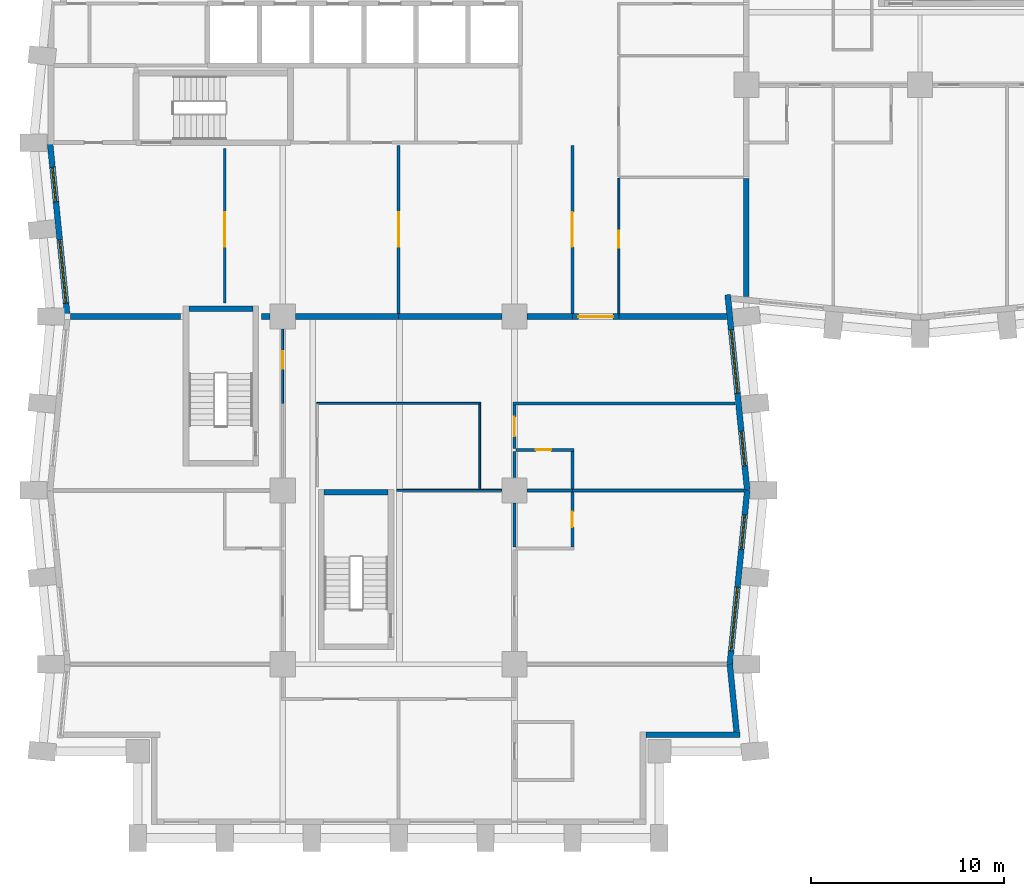
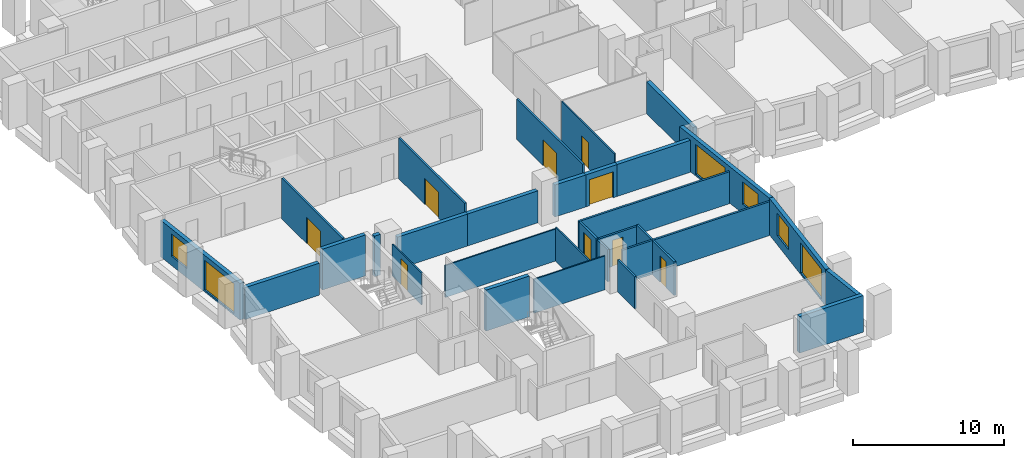
# One storey, part 4 of 12: 32 walls, 9 doors, 6 windows, 15 openings.
"""IFC4 building model written with IfcOpenShell, lengths in metres."""

from ifc_helpers import new_model, si_unit, direction, frame, frame_2d, origin, place, context, subcontext, project, spatial, rectangle, extrude, material, layer, layer_set, type_object, element, fill, save


model = new_model("IFC4")

# Units and contexts
model_context = context("Model", 3, precision=1e-05, world=origin(), true_north=direction((0.0, 1.0)))
body_context = subcontext(model_context, "Body", "Model", "MODEL_VIEW")
ifc_project = project(units=[si_unit("LENGTHUNIT", "METRE"), si_unit("AREAUNIT", "SQUARE_METRE"), si_unit("VOLUMEUNIT", "CUBIC_METRE"), si_unit("PLANEANGLEUNIT", "RADIAN"), si_unit("MASSUNIT", "GRAM", prefix="KILO")], contexts=[model_context])

# Site, building, storey
site_placement = place(None, origin())
site = spatial("IfcSite", under=ifc_project, at=site_placement, CompositionType="ELEMENT")
building_placement = place(site_placement, origin())
building = spatial("IfcBuilding", under=site, at=building_placement, Name="Brondeck Convention Tower", CompositionType="ELEMENT")
storey_placement = place(building_placement, frame((0.0, 0.0, 55.5)))
storey = spatial("IfcBuildingStorey", under=building, at=storey_placement, Name="L11", CompositionType="ELEMENT", Elevation=55.5)

# Walls
ifc_material_1 = material(Name="Concrete compartment wall C30/37", Category="concrete")
ifc_layer_1 = layer(ifc_material_1, 0.300048828125)
ifc_layer_set_1 = layer_set([ifc_layer_1], Name="Compartment wall 300")
wall_type_1 = type_object("IfcWallType", Name="Compartment wall 300", PredefinedType="PARTITIONING", material=ifc_layer_set_1)
wall_1_placement = place(storey_placement, frame((6.699951171875, 27.0, 0.0), z_axis=(0.0, 0.0, 1.0), x_axis=(-1.0, 0.0, 0.0)))
element("IfcWall", 1, at=wall_1_placement, inside=storey, type_object=wall_type_1, Name="FLR-L11-W035", PredefinedType="PARTITIONING", context=body_context, shape_type="SweptSolid", body=[
    extrude(rectangle(XDim=5.675048828125, YDim=0.300048828125, at=frame_2d((2.83740234375, 0.0))), origin(), (0.0, 0.0, 1.0), 2.580078125),
])
wall_2_placement = place(storey_placement, frame((11.344970703125, 27.0, 0.0), z_axis=(0.0, 0.0, 1.0), x_axis=(-1.0, 0.0, 0.0)))
element("IfcWall", 2, at=wall_2_placement, inside=storey, type_object=wall_type_1, Name="FLR-L11-W036", PredefinedType="PARTITIONING", context=body_context, shape_type="SweptSolid", body=[
    extrude(rectangle(XDim=0.445068359375, YDim=0.300048828125, at=frame_2d((0.22265625, 0.0))), origin(), (0.0, 0.0, 1.0), 3.280029296875),
])
for number, where, z_axis, x_axis, name in (
    (3, (18.0, 27.0, 0.0), (0.0, 0.0, 1.0), (-1.0, 0.0, 0.0), "FLR-L11-W037"),
    (4, (23.344970703125, 27.0, 0.0), (0.0, 0.0, 1.0), (-1.0, 0.0, 0.0), "FLR-L11-W038"),
):
    element("IfcWall", number, at=place(storey_placement, frame(where, z_axis=z_axis, x_axis=x_axis)), inside=storey, type_object=wall_type_1, Name=name, PredefinedType="PARTITIONING", context=body_context, shape_type="SweptSolid", body=[
        extrude(rectangle(XDim=5.344970703125, YDim=0.300048828125, at=frame_2d((2.67236328125, 0.0))), origin(), (0.0, 0.0, 1.0), 2.580078125),
    ])
wall_3_placement = place(storey_placement, frame((27.0, 27.0, 0.0), z_axis=(0.0, 0.0, 1.0), x_axis=(-1.0, 0.0, 0.0)))
element("IfcWall", 5, at=wall_3_placement, inside=storey, type_object=wall_type_1, Name="FLR-L11-W039", PredefinedType="PARTITIONING", context=body_context, shape_type="SweptSolid", body=[
    extrude(rectangle(XDim=2.344970703125, YDim=0.300048828125, at=frame_2d((1.17236328125, 0.0))), origin(), (0.0, 0.0, 1.0), 2.580078125),
])

# Wall, opening, door
wall_4_placement = place(storey_placement, frame((29.39990234375, 27.0, 0.0), z_axis=(0.0, 0.0, 1.0), x_axis=(-1.0, 0.0, 0.0)))
wall_4 = element("IfcWall", 6, at=wall_4_placement, inside=storey, type_object=wall_type_1, Name="FLR-L11-W040", PredefinedType="PARTITIONING", context=body_context, shape_type="SweptSolid", body=[
    extrude(rectangle(XDim=2.39990234375, YDim=0.300048828125, at=frame_2d((1.199951171875, 0.0))), origin(), (0.0, 0.0, 1.0), 2.580078125),
])
opening_1_placement = place(wall_4_placement, frame((0.300048828125, 0.0, 0.0)))
opening_1 = element("IfcOpeningElement", 7, at=opening_1_placement, cuts=wall_4, Name="Opening H2-043", PredefinedType="OPENING", context=body_context, shape_type="SweptSolid", body=[
    extrude(rectangle(XDim=1.800048828125, YDim=2.10009765625, at=frame_2d((0.89990234375, 1.050048828125))), frame((0.0, 0.159912109375, 0.0), z_axis=(0.0, -1.0, 0.0), x_axis=(1.0, 0.0, 0.0)), (0.0, 0.0, 1.0), 0.320068359375),
])
ifc_material_2 = material(Name="Steel fire door pair", Category="steel")
door_type_1 = type_object("IfcDoorType", Name="Fire door pair 1800", OperationType="DOUBLE_DOOR_SINGLE_SWING", PredefinedType="DOOR", material=ifc_material_2)
door_1_placement = place(opening_1_placement, origin())
door_1 = element("IfcDoor", 8, at=door_1_placement, inside=storey, type_object=door_type_1, Name="Door H2-043", OperationType="DOUBLE_DOOR_SINGLE_SWING", OverallHeight=2.10009765625, OverallWidth=1.800048828125, PredefinedType="DOOR", context=body_context, shape_type="SweptSolid", body=[
    extrude(rectangle(XDim=1.800048828125, YDim=2.10009765625, at=frame_2d((0.89990234375, 1.050048828125))), frame((0.0, 0.02490234375, 0.0), z_axis=(0.0, -1.0, 0.0), x_axis=(1.0, 0.0, 0.0)), (0.0, 0.0, 1.0), 0.050048828125),
])
fill(opening_1, door_1)

# Walls
wall_5_placement = place(storey_placement, frame((34.97509765625, 27.0, 0.0), z_axis=(0.0, 0.0, 1.0), x_axis=(-1.0, 0.0, 0.0)))
element("IfcWall", 9, at=wall_5_placement, inside=storey, type_object=wall_type_1, Name="FLR-L11-W041", PredefinedType="PARTITIONING", context=body_context, shape_type="SweptSolid", body=[
    extrude(rectangle(XDim=5.5751953125, YDim=0.300048828125, at=frame_2d((2.78759765625, 0.0))), origin(), (0.0, 0.0, 1.0), 2.580078125),
])
wall_6_placement = place(storey_placement, frame((36.0, 34.14990234375, 0.0), z_axis=(0.0, 0.0, 1.0), x_axis=(0.0, -1.0, 0.0)))
element("IfcWall", 10, at=wall_6_placement, inside=storey, type_object=wall_type_1, Name="FLR-L11-W044", PredefinedType="PARTITIONING", context=body_context, shape_type="SweptSolid", body=[
    extrude(rectangle(XDim=6.125, YDim=0.300048828125, at=frame_2d((3.0625, 0.0))), origin(), (0.0, 0.0, 1.0), 2.580078125),
])
ifc_material_3 = material(Name="Precast concrete C50/60 bronze finish", Category="concrete")
ifc_layer_2 = layer(ifc_material_3, 0.070068359375, Name="Bronze precast facing")
ifc_material_4 = material(Name="Mineral wool")
ifc_layer_3 = layer(ifc_material_4, 0.159912109375, Name="Insulation")
ifc_material_5 = material(Name="Concrete C35/45", Category="concrete")
ifc_layer_4 = layer(ifc_material_5, 0.070068359375, Name="Backing")
ifc_layer_set_2 = layer_set([ifc_layer_2, ifc_layer_3, ifc_layer_4], Name="External infill wall, precast concrete C50/60 bronze facing")
wall_type_2 = type_object("IfcWallType", Name="External infill wall, precast concrete C50/60 bronze facing", PredefinedType="SOLIDWALL", material=ifc_layer_set_2)
wall_7_placement = place(storey_placement, frame((35.676513671875, 5.35009765625, 0.0), z_axis=(0.0, 0.0, 1.0), x_axis=(-1.0, 0.0, 0.0)))
element("IfcWall", 11, at=wall_7_placement, inside=storey, type_object=wall_type_2, Name="ENV-EW-L11-P0-NC-SEB0-02", PredefinedType="SOLIDWALL", context=body_context, shape_type="SweptSolid", body=[
    extrude(rectangle(XDim=4.87646484375, YDim=0.300048828125, at=frame_2d((2.438232421875, 0.0))), origin(), (0.0, 0.0, 1.0), 2.949951171875),
])
wall_8_placement = place(storey_placement, frame((35.144287109375, 9.014892578125, 0.0), z_axis=(0.0, 0.0, 1.0), x_axis=(0.099462600847, -0.995041301169, 0.0)))
element("IfcWall", 12, at=wall_8_placement, inside=storey, type_object=wall_type_2, Name="ENV-EW-L11-P0-B-E-04", PredefinedType="SOLIDWALL", context=body_context, shape_type="SweptSolid", body=[
    extrude(rectangle(XDim=3.52734375, YDim=0.300048828125, at=frame_2d((1.763671875, 0.0))), origin(), (0.0, 0.0, 1.0), 2.949951171875),
])

# Wall, openings, windows
wall_9_placement = place(storey_placement, frame((36.04736328125, 18.014892578125, 0.0), z_axis=(0.0, 0.0, 1.0), x_axis=(-0.099522457379, -0.995035316196, 0.0)))
wall_9 = element("IfcWall", 13, at=wall_9_placement, inside=storey, type_object=wall_type_2, Name="ENV-EW-L11-P0-B-E-03", PredefinedType="SOLIDWALL", context=body_context, shape_type="SweptSolid", body=[
    extrude(rectangle(XDim=9.030029296875, YDim=0.300048828125, at=frame_2d((4.51513671875, 0.0))), origin(), (0.0, 0.0, 1.0), 2.949951171875),
])
opening_2_placement = place(wall_9_placement, frame((1.291259765625, 0.0, 0.75)))
opening_2 = element("IfcOpeningElement", 14, at=opening_2_placement, cuts=wall_9, Name="Opening W10", PredefinedType="OPENING", context=body_context, shape_type="SweptSolid", body=[
    extrude(rectangle(XDim=1.800048828125, YDim=1.800048828125, at=frame_2d((0.89990234375, 0.89990234375))), frame((0.0, 0.159912109375, 0.0), z_axis=(0.0, -1.0, 0.0), x_axis=(1.0, 0.0, 0.0)), (0.0, 0.0, 1.0), 0.320068359375),
])
opening_3_placement = place(wall_9_placement, frame((5.063720703125, 0.0, 0.14990234375)))
opening_3 = element("IfcOpeningElement", 15, at=opening_3_placement, cuts=wall_9, Name="Opening W9", PredefinedType="OPENING", context=body_context, shape_type="SweptSolid", body=[
    extrude(rectangle(XDim=3.300048828125, YDim=2.39990234375, at=frame_2d((1.64990234375, 1.199951171875))), frame((0.0, 0.159912109375, 0.0), z_axis=(0.0, -1.0, 0.0), x_axis=(1.0, 0.0, 0.0)), (0.0, 0.0, 1.0), 0.320068359375),
])
ifc_material_6 = material(Name="Bronze tinted double glazing", Category="glass")
window_type_1 = type_object("IfcWindowType", Name="Glazed flute window, bronze tinted", PartitioningType="SINGLE_PANEL", PredefinedType="WINDOW", material=ifc_material_6)
window_1_placement = place(opening_3_placement, origin())
window_1 = element("IfcWindow", 16, at=window_1_placement, inside=storey, type_object=window_type_1, Name="ENV-WN-L11-P0-B-E-03", OverallHeight=2.39990234375, OverallWidth=3.300048828125, PartitioningType="SINGLE_PANEL", PredefinedType="WINDOW", context=body_context, shape_type="SweptSolid", body=[
    extrude(rectangle(XDim=3.300048828125, YDim=2.39990234375, at=frame_2d((1.64990234375, 1.199951171875))), frame((0.0, 0.030029296875, 0.0), z_axis=(0.0, -1.0, 0.0), x_axis=(1.0, 0.0, 0.0)), (0.0, 0.0, 1.0), 0.06005859375),
])
fill(opening_3, window_1)
window_type_2 = type_object("IfcWindowType", Name="Punched window, bronze tinted", PartitioningType="SINGLE_PANEL", PredefinedType="WINDOW", material=ifc_material_6)
window_2_placement = place(opening_2_placement, origin())
window_2 = element("IfcWindow", 17, at=window_2_placement, inside=storey, type_object=window_type_2, Name="ENV-WN-L11-P0-B-E-02", OverallHeight=1.800048828125, OverallWidth=1.800048828125, PartitioningType="SINGLE_PANEL", PredefinedType="WINDOW", context=body_context, shape_type="SweptSolid", body=[
    extrude(rectangle(XDim=1.800048828125, YDim=1.800048828125, at=frame_2d((0.89990234375, 0.89990234375))), frame((0.0, 0.030029296875, 0.0), z_axis=(0.0, -1.0, 0.0), x_axis=(1.0, 0.0, 0.0)), (0.0, 0.0, 1.0), 0.06005859375),
])
fill(opening_2, window_2)

wall_10_placement = place(storey_placement, frame((35.03271484375, 28.131591796875, 0.0), z_axis=(0.0, 0.0, 1.0), x_axis=(0.099487051997, -0.995038856771, 0.0)))
wall_10 = element("IfcWall", 18, at=wall_10_placement, inside=storey, type_object=wall_type_2, Name="ENV-EW-L11-P0-B-E-01", PredefinedType="SOLIDWALL", context=body_context, shape_type="SweptSolid", body=[
    extrude(rectangle(XDim=10.152099609375, YDim=0.300048828125, at=frame_2d((5.076171875, 0.0))), origin(), (0.0, 0.0, 1.0), 2.949951171875),
])
opening_4_placement = place(wall_10_placement, frame((1.83349609375, 0.0, 0.14990234375)))
opening_4 = element("IfcOpeningElement", 19, at=opening_4_placement, cuts=wall_10, Name="Opening W9", PredefinedType="OPENING", context=body_context, shape_type="SweptSolid", body=[
    extrude(rectangle(XDim=3.300048828125, YDim=2.39990234375, at=frame_2d((1.64990234375, 1.199951171875))), frame((0.0, 0.159912109375, 0.0), z_axis=(0.0, -1.0, 0.0), x_axis=(1.0, 0.0, 0.0)), (0.0, 0.0, 1.0), 0.320068359375),
])
opening_5_placement = place(wall_10_placement, frame((7.10595703125, 0.0, 0.75)))
opening_5 = element("IfcOpeningElement", 20, at=opening_5_placement, cuts=wall_10, Name="Opening W10", PredefinedType="OPENING", context=body_context, shape_type="SweptSolid", body=[
    extrude(rectangle(XDim=1.800048828125, YDim=1.800048828125, at=frame_2d((0.89990234375, 0.89990234375))), frame((0.0, 0.159912109375, 0.0), z_axis=(0.0, -1.0, 0.0), x_axis=(1.0, 0.0, 0.0)), (0.0, 0.0, 1.0), 0.320068359375),
])
window_3_placement = place(opening_4_placement, origin())
window_3 = element("IfcWindow", 21, at=window_3_placement, inside=storey, type_object=window_type_1, Name="ENV-WN-L11-P0-B-E-00", OverallHeight=2.39990234375, OverallWidth=3.300048828125, PartitioningType="SINGLE_PANEL", PredefinedType="WINDOW", context=body_context, shape_type="SweptSolid", body=[
    extrude(rectangle(XDim=3.300048828125, YDim=2.39990234375, at=frame_2d((1.64990234375, 1.199951171875))), frame((0.0, 0.030029296875, 0.0), z_axis=(0.0, -1.0, 0.0), x_axis=(1.0, 0.0, 0.0)), (0.0, 0.0, 1.0), 0.06005859375),
])
fill(opening_4, window_3)
window_4_placement = place(opening_5_placement, origin())
window_4 = element("IfcWindow", 22, at=window_4_placement, inside=storey, type_object=window_type_2, Name="ENV-WN-L11-P0-B-E-01", OverallHeight=1.800048828125, OverallWidth=1.800048828125, PartitioningType="SINGLE_PANEL", PredefinedType="WINDOW", context=body_context, shape_type="SweptSolid", body=[
    extrude(rectangle(XDim=1.800048828125, YDim=1.800048828125, at=frame_2d((0.89990234375, 0.89990234375))), frame((0.0, 0.030029296875, 0.0), z_axis=(0.0, -1.0, 0.0), x_axis=(1.0, 0.0, 0.0)), (0.0, 0.0, 1.0), 0.06005859375),
])
fill(opening_5, window_4)

wall_11_placement = place(storey_placement, frame((0.855712890625, 26.985107421875, 0.0), z_axis=(0.0, 0.0, 1.0), x_axis=(-0.099503719021, 0.99503719021, 0.0)))
wall_11 = element("IfcWall", 23, at=wall_11_placement, inside=storey, type_object=wall_type_2, Name="ENV-EW-L11-P0-B-W-06", PredefinedType="SOLIDWALL", context=body_context, shape_type="SweptSolid", body=[
    extrude(rectangle(XDim=8.994873046875, YDim=0.300048828125, at=frame_2d((4.49755859375, 0.0))), origin(), (0.0, 0.0, 1.0), 2.949951171875),
])
opening_6_placement = place(wall_11_placement, frame((0.711181640625, 0.0, 0.14990234375)))
opening_6 = element("IfcOpeningElement", 24, at=opening_6_placement, cuts=wall_11, Name="Opening W9", PredefinedType="OPENING", context=body_context, shape_type="SweptSolid", body=[
    extrude(rectangle(XDim=3.300048828125, YDim=2.39990234375, at=frame_2d((1.64990234375, 1.199951171875))), frame((0.0, 0.159912109375, 0.0), z_axis=(0.0, -1.0, 0.0), x_axis=(1.0, 0.0, 0.0)), (0.0, 0.0, 1.0), 0.320068359375),
])
opening_7_placement = place(wall_11_placement, frame((5.983642578125, 0.0, 0.75)))
opening_7 = element("IfcOpeningElement", 25, at=opening_7_placement, cuts=wall_11, Name="Opening W10", PredefinedType="OPENING", context=body_context, shape_type="SweptSolid", body=[
    extrude(rectangle(XDim=1.800048828125, YDim=1.800048828125, at=frame_2d((0.89990234375, 0.89990234375))), frame((0.0, 0.159912109375, 0.0), z_axis=(0.0, -1.0, 0.0), x_axis=(1.0, 0.0, 0.0)), (0.0, 0.0, 1.0), 0.320068359375),
])
window_5_placement = place(opening_6_placement, origin())
window_5 = element("IfcWindow", 26, at=window_5_placement, inside=storey, type_object=window_type_1, Name="ENV-WN-L11-P0-B-W-07", OverallHeight=2.39990234375, OverallWidth=3.300048828125, PartitioningType="SINGLE_PANEL", PredefinedType="WINDOW", context=body_context, shape_type="SweptSolid", body=[
    extrude(rectangle(XDim=3.300048828125, YDim=2.39990234375, at=frame_2d((1.64990234375, 1.199951171875))), frame((0.0, 0.030029296875, 0.0), z_axis=(0.0, -1.0, 0.0), x_axis=(1.0, 0.0, 0.0)), (0.0, 0.0, 1.0), 0.06005859375),
])
fill(opening_6, window_5)
window_6_placement = place(opening_7_placement, origin())
window_6 = element("IfcWindow", 27, at=window_6_placement, inside=storey, type_object=window_type_2, Name="ENV-WN-L11-P0-B-W-06", OverallHeight=1.800048828125, OverallWidth=1.800048828125, PartitioningType="SINGLE_PANEL", PredefinedType="WINDOW", context=body_context, shape_type="SweptSolid", body=[
    extrude(rectangle(XDim=1.800048828125, YDim=1.800048828125, at=frame_2d((0.89990234375, 0.89990234375))), frame((0.0, 0.030029296875, 0.0), z_axis=(0.0, -1.0, 0.0), x_axis=(1.0, 0.0, 0.0)), (0.0, 0.0, 1.0), 0.06005859375),
])
fill(opening_7, window_6)

# Wall, opening, door
ifc_material_7 = material(Name="Double gypsum board acoustic wall")
ifc_layer_5 = layer(ifc_material_7, 0.14990234375)
ifc_layer_set_3 = layer_set([ifc_layer_5], Name="Guest room party wall 150")
wall_type_3 = type_object("IfcWallType", Name="Guest room party wall 150", PredefinedType="PARTITIONING", material=ifc_layer_set_3)
wall_12_placement = place(storey_placement, frame((27.0, 15.074951171875, 0.0), z_axis=(0.0, 0.0, 1.0), x_axis=(0.0, 1.0, 0.0)))
wall_12 = element("IfcWall", 28, at=wall_12_placement, inside=storey, type_object=wall_type_3, Name="FLR-L11-W017", PredefinedType="PARTITIONING", context=body_context, shape_type="SweptSolid", body=[
    extrude(rectangle(XDim=2.85009765625, YDim=0.14990234375, at=frame_2d((1.425048828125, 0.0))), origin(), (0.0, 0.0, 1.0), 2.72998046875),
])
opening_8_placement = place(wall_12_placement, frame((1.02490234375, 0.0, 0.0)))
opening_8 = element("IfcOpeningElement", 29, at=opening_8_placement, cuts=wall_12, Name="Opening H2-028", PredefinedType="OPENING", context=body_context, shape_type="SweptSolid", body=[
    extrude(rectangle(XDim=0.800048828125, YDim=2.10009765625, at=frame_2d((0.39990234375, 1.050048828125))), frame((0.0, 0.0849609375, 0.0), z_axis=(0.0, -1.0, 0.0), x_axis=(1.0, 0.0, 0.0)), (0.0, 0.0, 1.0), 0.169921875),
])
ifc_material_8 = material(Name="Solid timber door leaf", Category="wood")
door_type_2 = type_object("IfcDoorType", Name="En-suite door 800", OperationType="NOTDEFINED", PredefinedType="DOOR", material=ifc_material_8)
door_2_placement = place(opening_8_placement, origin())
door_2 = element("IfcDoor", 30, at=door_2_placement, inside=storey, type_object=door_type_2, Name="Door H2-028", OperationType="SINGLE_SWING_RIGHT", OverallHeight=2.10009765625, OverallWidth=0.800048828125, PredefinedType="DOOR", context=body_context, shape_type="SweptSolid", body=[
    extrude(rectangle(XDim=0.800048828125, YDim=2.10009765625, at=frame_2d((0.39990234375, 1.050048828125))), frame((0.0, 0.02490234375, 0.0), z_axis=(0.0, -1.0, 0.0), x_axis=(1.0, 0.0, 0.0)), (0.0, 0.0, 1.0), 0.050048828125),
])
fill(opening_8, door_2)

# Walls
wall_13_placement = place(storey_placement, frame((24.0, 17.344970703125, 0.0), z_axis=(0.0, 0.0, 1.0), x_axis=(0.0, -1.0, 0.0)))
element("IfcWall", 31, at=wall_13_placement, inside=storey, type_object=wall_type_3, Name="FLR-L11-W018", PredefinedType="PARTITIONING", context=body_context, shape_type="SweptSolid", body=[
    extrude(rectangle(XDim=2.27001953125, YDim=0.14990234375, at=frame_2d((1.135009765625, 0.0))), origin(), (0.0, 0.0, 1.0), 2.580078125),
])
wall_14_placement = place(storey_placement, frame((27.0, 18.0, 0.0), z_axis=(0.0, 0.0, 1.0), x_axis=(-1.0, 0.0, 0.0)))
element("IfcWall", 32, at=wall_14_placement, inside=storey, type_object=wall_type_3, Name="FLR-L11-W023", PredefinedType="PARTITIONING", context=body_context, shape_type="SweptSolid", body=[
    extrude(rectangle(XDim=2.344970703125, YDim=0.14990234375, at=frame_2d((1.17236328125, 0.0))), origin(), (0.0, 0.0, 1.0), 2.72998046875),
])
wall_15_placement = place(storey_placement, frame((35.875, 18.0, 0.0), z_axis=(0.0, 0.0, 1.0), x_axis=(-1.0, 0.0, 0.0)))
element("IfcWall", 33, at=wall_15_placement, inside=storey, type_object=wall_type_3, Name="FLR-L11-W024", PredefinedType="PARTITIONING", context=body_context, shape_type="SweptSolid", body=[
    extrude(rectangle(XDim=8.875, YDim=0.14990234375, at=frame_2d((4.4375, 0.0))), origin(), (0.0, 0.0, 1.0), 2.72998046875),
])
wall_16_placement = place(storey_placement, frame((27.0, 18.074951171875, 0.0), z_axis=(0.0, 0.0, 1.0), x_axis=(0.0, 1.0, 0.0)))
element("IfcWall", 34, at=wall_16_placement, inside=storey, type_object=wall_type_3, Name="FLR-L11-W026", PredefinedType="PARTITIONING", context=body_context, shape_type="SweptSolid", body=[
    extrude(rectangle(XDim=1.949951171875, YDim=0.14990234375, at=frame_2d((0.97509765625, 0.0))), origin(), (0.0, 0.0, 1.0), 2.72998046875),
])
wall_17_placement = place(storey_placement, frame((24.0, 20.02490234375, 0.0), z_axis=(0.0, 0.0, 1.0), x_axis=(0.0, -1.0, 0.0)))
element("IfcWall", 35, at=wall_17_placement, inside=storey, type_object=wall_type_3, Name="FLR-L11-W027", PredefinedType="PARTITIONING", context=body_context, shape_type="SweptSolid", body=[
    extrude(rectangle(XDim=1.369873046875, YDim=0.14990234375, at=frame_2d((0.68505859375, 0.0))), origin(), (0.0, 0.0, 1.0), 2.580078125),
])

# Wall, opening, door
wall_18_placement = place(storey_placement, frame((27.074951171875, 20.10009765625, 0.0), z_axis=(0.0, 0.0, 1.0), x_axis=(-1.0, 0.0, 0.0)))
wall_18 = element("IfcWall", 36, at=wall_18_placement, inside=storey, type_object=wall_type_3, Name="FLR-L11-W028", PredefinedType="PARTITIONING", context=body_context, shape_type="SweptSolid", body=[
    extrude(rectangle(XDim=3.0, YDim=0.14990234375, at=frame_2d((1.5, 0.0))), origin(), (0.0, 0.0, 1.0), 2.580078125),
])
opening_9_placement = place(wall_18_placement, frame((1.175048828125, 0.0, 0.0)))
opening_9 = element("IfcOpeningElement", 37, at=opening_9_placement, cuts=wall_18, Name="Opening H2-026", PredefinedType="OPENING", context=body_context, shape_type="SweptSolid", body=[
    extrude(rectangle(XDim=0.800048828125, YDim=2.10009765625, at=frame_2d((0.39990234375, 1.050048828125))), frame((0.0, 0.0849609375, 0.0), z_axis=(0.0, -1.0, 0.0), x_axis=(1.0, 0.0, 0.0)), (0.0, 0.0, 1.0), 0.169921875),
])
door_3_placement = place(opening_9_placement, origin())
door_3 = element("IfcDoor", 38, at=door_3_placement, inside=storey, type_object=door_type_2, Name="Door H2-026", OperationType="SINGLE_SWING_LEFT", OverallHeight=2.10009765625, OverallWidth=0.800048828125, PredefinedType="DOOR", context=body_context, shape_type="SweptSolid", body=[
    extrude(rectangle(XDim=0.800048828125, YDim=2.10009765625, at=frame_2d((0.39990234375, 1.050048828125))), frame((0.0, 0.02490234375, 0.0), z_axis=(0.0, -1.0, 0.0), x_axis=(1.0, 0.0, 0.0)), (0.0, 0.0, 1.0), 0.050048828125),
])
fill(opening_9, door_3)

wall_19_placement = place(storey_placement, frame((24.0, 22.425048828125, 0.0), z_axis=(0.0, 0.0, 1.0), x_axis=(0.0, -1.0, 0.0)))
wall_19 = element("IfcWall", 39, at=wall_19_placement, inside=storey, type_object=wall_type_3, Name="FLR-L11-W029", PredefinedType="PARTITIONING", context=body_context, shape_type="SweptSolid", body=[
    extrude(rectangle(XDim=2.25, YDim=0.14990234375, at=frame_2d((1.125, 0.0))), origin(), (0.0, 0.0, 1.0), 2.580078125),
])
opening_10_placement = place(wall_19_placement, frame((0.625, 0.0, 0.0)))
opening_10 = element("IfcOpeningElement", 40, at=opening_10_placement, cuts=wall_19, Name="Opening H2-025", PredefinedType="OPENING", context=body_context, shape_type="SweptSolid", body=[
    extrude(rectangle(XDim=1.0, YDim=2.10009765625, at=frame_2d((0.5, 1.050048828125))), frame((0.0, 0.0849609375, 0.0), z_axis=(0.0, -1.0, 0.0), x_axis=(1.0, 0.0, 0.0)), (0.0, 0.0, 1.0), 0.169921875),
])
ifc_material_9 = material(Name="Solid timber fire door leaf", Category="wood")
door_type_3 = type_object("IfcDoorType", Name="Guest room door 1000", OperationType="NOTDEFINED", PredefinedType="DOOR", material=ifc_material_9)
door_4_placement = place(opening_10_placement, origin())
door_4 = element("IfcDoor", 41, at=door_4_placement, inside=storey, type_object=door_type_3, Name="Door H2-025", OperationType="SINGLE_SWING_LEFT", OverallHeight=2.10009765625, OverallWidth=1.0, PredefinedType="DOOR", context=body_context, shape_type="SweptSolid", body=[
    extrude(rectangle(XDim=1.0, YDim=2.10009765625, at=frame_2d((0.5, 1.050048828125))), frame((0.0, 0.02490234375, 0.0), z_axis=(0.0, -1.0, 0.0), x_axis=(1.0, 0.0, 0.0)), (0.0, 0.0, 1.0), 0.050048828125),
])
fill(opening_10, door_4)

# Wall
wall_20_placement = place(storey_placement, frame((35.425048828125, 22.5, 0.0), z_axis=(0.0, 0.0, 1.0), x_axis=(-1.0, 0.0, 0.0)))
element("IfcWall", 42, at=wall_20_placement, inside=storey, type_object=wall_type_3, Name="FLR-L11-W034", PredefinedType="PARTITIONING", context=body_context, shape_type="SweptSolid", body=[
    extrude(rectangle(XDim=11.5, YDim=0.14990234375, at=frame_2d((5.75, 0.0))), origin(), (0.0, 0.0, 1.0), 2.580078125),
])

# Wall, opening, door
wall_21_placement = place(storey_placement, frame((27.0, 27.14990234375, 0.0), z_axis=(0.0, 0.0, 1.0), x_axis=(0.0, 1.0, 0.0)))
wall_21 = element("IfcWall", 43, at=wall_21_placement, inside=storey, type_object=wall_type_3, Name="FLR-L11-W042", PredefinedType="PARTITIONING", context=body_context, shape_type="SweptSolid", body=[
    extrude(rectangle(XDim=8.7001953125, YDim=0.14990234375, at=frame_2d((4.35009765625, 0.0))), origin(), (0.0, 0.0, 1.0), 3.280029296875),
])
opening_11_placement = place(wall_21_placement, frame((3.449951171875, 0.0, 0.0)))
opening_11 = element("IfcOpeningElement", 44, at=opening_11_placement, cuts=wall_21, Name="Opening H2-039", PredefinedType="OPENING", context=body_context, shape_type="SweptSolid", body=[
    extrude(rectangle(XDim=1.800048828125, YDim=2.10009765625, at=frame_2d((0.89990234375, 1.050048828125))), frame((0.0, 0.0849609375, 0.0), z_axis=(0.0, -1.0, 0.0), x_axis=(1.0, 0.0, 0.0)), (0.0, 0.0, 1.0), 0.169921875),
])
ifc_material_10 = material(Name="Glazed timber double door", Category="wood")
door_type_4 = type_object("IfcDoorType", Name="Double door 1800", OperationType="DOUBLE_DOOR_SINGLE_SWING", PredefinedType="DOOR", material=ifc_material_10)
door_5_placement = place(opening_11_placement, origin())
door_5 = element("IfcDoor", 45, at=door_5_placement, inside=storey, type_object=door_type_4, Name="Door H2-039", OperationType="DOUBLE_DOOR_SINGLE_SWING", OverallHeight=2.10009765625, OverallWidth=1.800048828125, PredefinedType="DOOR", context=body_context, shape_type="SweptSolid", body=[
    extrude(rectangle(XDim=1.800048828125, YDim=2.10009765625, at=frame_2d((0.89990234375, 1.050048828125))), frame((0.0, 0.02490234375, 0.0), z_axis=(0.0, -1.0, 0.0), x_axis=(1.0, 0.0, 0.0)), (0.0, 0.0, 1.0), 0.050048828125),
])
fill(opening_11, door_5)

wall_22_placement = place(storey_placement, frame((9.0, 27.699951171875, 0.0), z_axis=(0.0, 0.0, 1.0), x_axis=(0.0, 1.0, 0.0)))
wall_22 = element("IfcWall", 46, at=wall_22_placement, inside=storey, type_object=wall_type_3, Name="FLR-L11-W046", PredefinedType="PARTITIONING", context=body_context, shape_type="SweptSolid", body=[
    extrude(rectangle(XDim=8.0, YDim=0.14990234375, at=frame_2d((4.0, 0.0))), origin(), (0.0, 0.0, 1.0), 3.280029296875),
])
opening_12_placement = place(wall_22_placement, frame((2.89990234375, 0.0, 0.0)))
opening_12 = element("IfcOpeningElement", 47, at=opening_12_placement, cuts=wall_22, Name="Opening H2-040", PredefinedType="OPENING", context=body_context, shape_type="SweptSolid", body=[
    extrude(rectangle(XDim=1.800048828125, YDim=2.10009765625, at=frame_2d((0.89990234375, 1.050048828125))), frame((0.0, 0.0849609375, 0.0), z_axis=(0.0, -1.0, 0.0), x_axis=(1.0, 0.0, 0.0)), (0.0, 0.0, 1.0), 0.169921875),
])
door_6_placement = place(opening_12_placement, origin())
door_6 = element("IfcDoor", 48, at=door_6_placement, inside=storey, type_object=door_type_4, Name="Door H2-040", OperationType="DOUBLE_DOOR_SINGLE_SWING", OverallHeight=2.10009765625, OverallWidth=1.800048828125, PredefinedType="DOOR", context=body_context, shape_type="SweptSolid", body=[
    extrude(rectangle(XDim=1.800048828125, YDim=2.10009765625, at=frame_2d((0.89990234375, 1.050048828125))), frame((0.0, 0.02490234375, 0.0), z_axis=(0.0, -1.0, 0.0), x_axis=(1.0, 0.0, 0.0)), (0.0, 0.0, 1.0), 0.050048828125),
])
fill(opening_12, door_6)

wall_23_placement = place(storey_placement, frame((18.0, 27.14990234375, 0.0), z_axis=(0.0, 0.0, 1.0), x_axis=(0.0, 1.0, 0.0)))
wall_23 = element("IfcWall", 49, at=wall_23_placement, inside=storey, type_object=wall_type_3, Name="FLR-L11-W047", PredefinedType="PARTITIONING", context=body_context, shape_type="SweptSolid", body=[
    extrude(rectangle(XDim=8.7001953125, YDim=0.14990234375, at=frame_2d((4.35009765625, 0.0))), origin(), (0.0, 0.0, 1.0), 3.280029296875),
])
opening_13_placement = place(wall_23_placement, frame((3.449951171875, 0.0, 0.0)))
opening_13 = element("IfcOpeningElement", 50, at=opening_13_placement, cuts=wall_23, Name="Opening H2-041", PredefinedType="OPENING", context=body_context, shape_type="SweptSolid", body=[
    extrude(rectangle(XDim=1.800048828125, YDim=2.10009765625, at=frame_2d((0.89990234375, 1.050048828125))), frame((0.0, 0.0849609375, 0.0), z_axis=(0.0, -1.0, 0.0), x_axis=(1.0, 0.0, 0.0)), (0.0, 0.0, 1.0), 0.169921875),
])
door_7_placement = place(opening_13_placement, origin())
door_7 = element("IfcDoor", 51, at=door_7_placement, inside=storey, type_object=door_type_4, Name="Door H2-041", OperationType="DOUBLE_DOOR_SINGLE_SWING", OverallHeight=2.10009765625, OverallWidth=1.800048828125, PredefinedType="DOOR", context=body_context, shape_type="SweptSolid", body=[
    extrude(rectangle(XDim=1.800048828125, YDim=2.10009765625, at=frame_2d((0.89990234375, 1.050048828125))), frame((0.0, 0.02490234375, 0.0), z_axis=(0.0, -1.0, 0.0), x_axis=(1.0, 0.0, 0.0)), (0.0, 0.0, 1.0), 0.050048828125),
])
fill(opening_13, door_7)

# Walls
ifc_material_11 = material(Name="Gypsum board partition on steel studs", Category="steel")
ifc_layer_6 = layer(ifc_material_11, 0.10009765625)
ifc_layer_set_4 = layer_set([ifc_layer_6], Name="Room partition 100")
wall_type_4 = type_object("IfcWallType", Name="Room partition 100", PredefinedType="PARTITIONING", material=ifc_layer_set_4)
wall_24_placement = place(storey_placement, frame((23.330078125, 18.0, 0.0), z_axis=(0.0, 0.0, 1.0), x_axis=(-1.0, 0.0, 0.0)))
element("IfcWall", 52, at=wall_24_placement, inside=storey, type_object=wall_type_4, Name="FLR-L11-W022", PredefinedType="PARTITIONING", context=body_context, shape_type="SweptSolid", body=[
    extrude(rectangle(XDim=5.43017578125, YDim=0.10009765625, at=frame_2d((2.715087890625, 0.0))), origin(), (0.0, 0.0, 1.0), 2.72998046875),
])
wall_25_placement = place(storey_placement, frame((22.199951171875, 18.050048828125, 0.0), z_axis=(0.0, 0.0, 1.0), x_axis=(0.0, 1.0, 0.0)))
element("IfcWall", 53, at=wall_25_placement, inside=storey, type_object=wall_type_4, Name="FLR-L11-W025", PredefinedType="PARTITIONING", context=body_context, shape_type="SweptSolid", body=[
    extrude(rectangle(XDim=4.39990234375, YDim=0.10009765625, at=frame_2d((2.199951171875, 0.0))), origin(), (0.0, 0.0, 1.0), 2.72998046875),
])

# Wall, opening, door
wall_26_placement = place(storey_placement, frame((12.0, 26.344970703125, 0.0), z_axis=(0.0, 0.0, 1.0), x_axis=(0.0, -1.0, 0.0)))
wall_26 = element("IfcWall", 54, at=wall_26_placement, inside=storey, type_object=wall_type_4, Name="FLR-L11-W032", PredefinedType="PARTITIONING", context=body_context, shape_type="SweptSolid", body=[
    extrude(rectangle(XDim=3.844970703125, YDim=0.10009765625, at=frame_2d((1.92236328125, 0.0))), origin(), (0.0, 0.0, 1.0), 2.580078125),
])
opening_14_placement = place(wall_26_placement, frame((1.14501953125, 0.0, 0.0)))
opening_14 = element("IfcOpeningElement", 55, at=opening_14_placement, cuts=wall_26, Name="Opening H2-022", PredefinedType="OPENING", context=body_context, shape_type="SweptSolid", body=[
    extrude(rectangle(XDim=0.89990234375, YDim=2.10009765625, at=frame_2d((0.449951171875, 1.050048828125))), frame((0.0, 0.06005859375, 0.0), z_axis=(0.0, -1.0, 0.0), x_axis=(1.0, 0.0, 0.0)), (0.0, 0.0, 1.0), 0.1201171875),
])
door_type_5 = type_object("IfcDoorType", Name="Single door 900", OperationType="NOTDEFINED", PredefinedType="DOOR", material=ifc_material_8)
door_8_placement = place(opening_14_placement, origin())
door_8 = element("IfcDoor", 56, at=door_8_placement, inside=storey, type_object=door_type_5, Name="Door H2-022", OperationType="SINGLE_SWING_LEFT", OverallHeight=2.10009765625, OverallWidth=0.89990234375, PredefinedType="DOOR", context=body_context, shape_type="SweptSolid", body=[
    extrude(rectangle(XDim=0.89990234375, YDim=2.10009765625, at=frame_2d((0.449951171875, 1.050048828125))), frame((0.0, 0.02490234375, 0.0), z_axis=(0.0, -1.0, 0.0), x_axis=(1.0, 0.0, 0.0)), (0.0, 0.0, 1.0), 0.050048828125),
])
fill(opening_14, door_8)

# Wall
wall_27_placement = place(storey_placement, frame((22.25, 22.5, 0.0), z_axis=(0.0, 0.0, 1.0), x_axis=(-1.0, 0.0, 0.0)))
element("IfcWall", 57, at=wall_27_placement, inside=storey, type_object=wall_type_4, Name="FLR-L11-W033", PredefinedType="PARTITIONING", context=body_context, shape_type="SweptSolid", body=[
    extrude(rectangle(XDim=8.5, YDim=0.10009765625, at=frame_2d((4.25, 0.0))), origin(), (0.0, 0.0, 1.0), 2.580078125),
])

# Wall, opening, door
wall_28_placement = place(storey_placement, frame((29.39990234375, 34.14990234375, 0.0), z_axis=(0.0, 0.0, 1.0), x_axis=(0.0, -1.0, 0.0)))
wall_28 = element("IfcWall", 58, at=wall_28_placement, inside=storey, type_object=wall_type_4, Name="FLR-L11-W043", PredefinedType="PARTITIONING", context=body_context, shape_type="SweptSolid", body=[
    extrude(rectangle(XDim=7.0, YDim=0.10009765625, at=frame_2d((3.5, 0.0))), origin(), (0.0, 0.0, 1.0), 3.280029296875),
])
opening_15_placement = place(wall_28_placement, frame((2.699951171875, 0.0, 0.0)))
opening_15 = element("IfcOpeningElement", 59, at=opening_15_placement, cuts=wall_28, Name="Opening H2-038", PredefinedType="OPENING", context=body_context, shape_type="SweptSolid", body=[
    extrude(rectangle(XDim=0.89990234375, YDim=2.10009765625, at=frame_2d((0.449951171875, 1.050048828125))), frame((0.0, 0.06005859375, 0.0), z_axis=(0.0, -1.0, 0.0), x_axis=(1.0, 0.0, 0.0)), (0.0, 0.0, 1.0), 0.1201171875),
])
door_9_placement = place(opening_15_placement, origin())
door_9 = element("IfcDoor", 60, at=door_9_placement, inside=storey, type_object=door_type_5, Name="Door H2-038", OperationType="SINGLE_SWING_LEFT", OverallHeight=2.10009765625, OverallWidth=0.89990234375, PredefinedType="DOOR", context=body_context, shape_type="SweptSolid", body=[
    extrude(rectangle(XDim=0.89990234375, YDim=2.10009765625, at=frame_2d((0.449951171875, 1.050048828125))), frame((0.0, 0.02490234375, 0.0), z_axis=(0.0, -1.0, 0.0), x_axis=(1.0, 0.0, 0.0)), (0.0, 0.0, 1.0), 0.050048828125),
])
fill(opening_15, door_9)

# Walls
ifc_material_12 = material(Name="Concrete C80/95", Category="concrete")
ifc_layer_7 = layer(ifc_material_12, 0.300048828125)
ifc_layer_set_5 = layer_set([ifc_layer_7], Name="Stair enclosure wall 300 Concrete C80/95")
wall_type_5 = type_object("IfcWallType", Name="Stair enclosure wall 300 Concrete C80/95", PredefinedType="SHEAR", material=ifc_layer_set_5)
for number, where, z_axis, x_axis, name in (
    (61, (14.14990234375, 17.89990234375, 0.0), (0.0, 0.0, 1.0), (1.0, 0.0, 0.0), "L11 core wall"),
    (62, (7.14990234375, 27.39990234375, 0.0), (0.0, 0.0, 1.0), (1.0, 0.0, 0.0), "L11 core wall"),
):
    element("IfcWall", number, at=place(storey_placement, frame(where, z_axis=z_axis, x_axis=x_axis)), inside=storey, type_object=wall_type_5, Name=name, PredefinedType="SHEAR", context=body_context, shape_type="SweptSolid", body=[
        extrude(rectangle(XDim=3.300048828125, YDim=0.300048828125, at=frame_2d((1.64990234375, 0.0))), origin(), (0.0, 0.0, 1.0), 3.300048828125),
    ])

save(model, "model.ifc")
